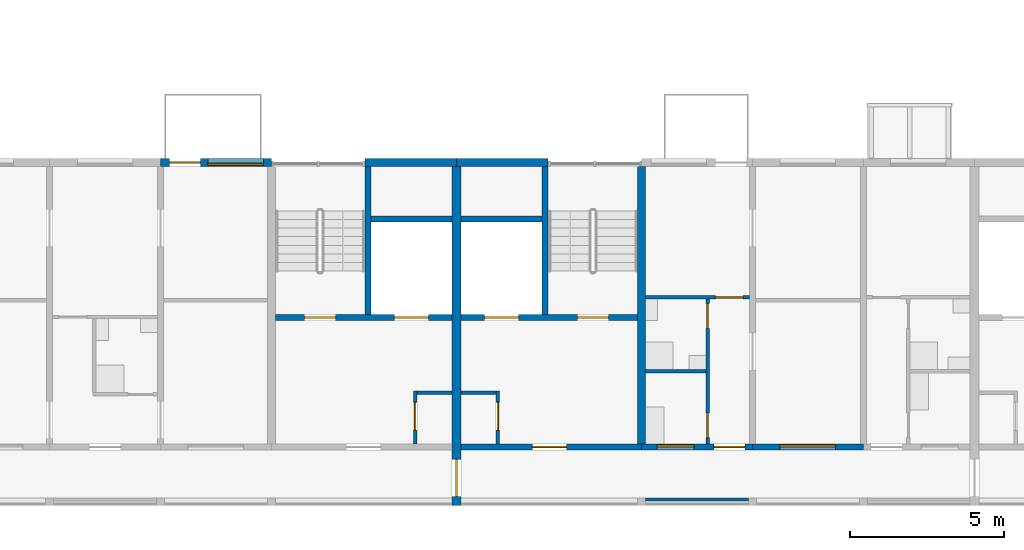
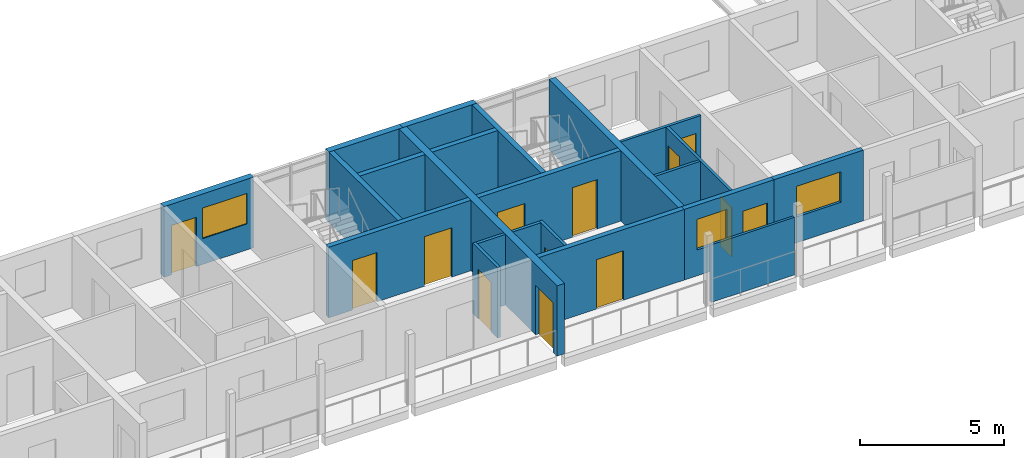
# One storey, part 53 of 94: 22 walls, 13 doors, 3 windows, 16 openings.
"""IFC4 building model written with IfcOpenShell, lengths in metres."""

from ifc_helpers import new_model, si_unit, direction, frame, frame_2d, origin, place, context, subcontext, project, spatial, rectangle, extrude, material, layer, layer_set, type_object, element, fill, save


model = new_model("IFC4")

# Units and contexts
model_context = context("Model", 3, precision=1e-05, world=origin(), true_north=direction((0.0, 1.0)))
body_context = subcontext(model_context, "Body", "Model", "MODEL_VIEW")
ifc_project = project(units=[si_unit("LENGTHUNIT", "METRE"), si_unit("AREAUNIT", "SQUARE_METRE"), si_unit("VOLUMEUNIT", "CUBIC_METRE"), si_unit("PLANEANGLEUNIT", "RADIAN"), si_unit("MASSUNIT", "GRAM", prefix="KILO")], contexts=[model_context])

# Site, building, storey
site_placement = place(None, origin())
site = spatial("IfcSite", under=ifc_project, at=site_placement, CompositionType="ELEMENT")
building_placement = place(site_placement, origin())
building = spatial("IfcBuilding", under=site, at=building_placement, Name="Ridgestep Commons", CompositionType="ELEMENT")
storey_placement = place(building_placement, frame((0.0, 0.0, 24.0)))
storey = spatial("IfcBuildingStorey", under=building, at=storey_placement, Name="L08", CompositionType="ELEMENT", Elevation=24.0)

# Wall
ifc_material_1 = material(Name="Concrete C30/37", Category="concrete")
ifc_layer_1 = layer(ifc_material_1, 0.25)
ifc_layer_set_1 = layer_set([ifc_layer_1], Name="Core cross wall 250")
wall_type_1 = type_object("IfcWallType", Name="Core cross wall 250", PredefinedType="SHEAR", material=ifc_layer_set_1)
wall_1_placement = place(storey_placement, frame((220.0, 13.75, 0.0), z_axis=(0.0, 0.0, 1.0), x_axis=(0.0, 1.0, 0.0)))
element("IfcWall", 1, at=wall_1_placement, inside=storey, type_object=wall_type_1, Name="Cross wall D-08-2200", PredefinedType="SHEAR", context=body_context, shape_type="SweptSolid", body=[
    extrude(rectangle(XDim=9.0, YDim=0.25, at=frame_2d((4.5, 0.0))), origin(), (0.0, 0.0, 1.0), 3.0),
])

# Wall, opening, door
ifc_material_2 = material(Name="Concrete C30/37", Category="concrete")
ifc_layer_2 = layer(ifc_material_2, 0.199951171875)
ifc_layer_set_2 = layer_set([ifc_layer_2], Name="Core south wall 200")
wall_type_2 = type_object("IfcWallType", Name="Core south wall 200", PredefinedType="SHEAR", material=ifc_layer_set_2)
wall_2_placement = place(storey_placement, frame((214.14990234375, 13.64990234375, 0.0), z_axis=(0.0, 0.0, 1.0), x_axis=(1.0, 0.0, 0.0)))
wall_2 = element("IfcWall", 2, at=wall_2_placement, inside=storey, type_object=wall_type_2, Name="Core south wall D5C L08", PredefinedType="SHEAR", context=body_context, shape_type="SweptSolid", body=[
    extrude(rectangle(XDim=5.85009765625, YDim=0.199951171875, at=frame_2d((2.925048828125, 0.0))), origin(), (0.0, 0.0, 1.0), 3.0),
])
opening_1_placement = place(wall_2_placement, frame((2.3125, 0.0, 0.0)))
opening_1 = element("IfcOpeningElement", 3, at=opening_1_placement, cuts=wall_2, Name="Opening D5C/08/1", PredefinedType="OPENING", context=body_context, shape_type="SweptSolid", body=[
    extrude(rectangle(XDim=1.10009765625, YDim=2.10009765625, at=frame_2d((0.550048828125, 1.050048828125))), frame((0.0, 0.10986328125, 0.0), z_axis=(0.0, -1.0, 0.0), x_axis=(1.0, 0.0, 0.0)), (0.0, 0.0, 1.0), 0.219970703125),
])
ifc_material_3 = material(Name="Steel fire door", Category="steel")
door_type_1 = type_object("IfcDoorType", Name="Lobby door 1100 x 2100 FD60", OperationType="NOTDEFINED", PredefinedType="DOOR", material=ifc_material_3)
door_1_placement = place(opening_1_placement, origin())
door_1 = element("IfcDoor", 4, at=door_1_placement, inside=storey, type_object=door_type_1, Name="Lobby door D5C/08/1", OperationType="SINGLE_SWING_LEFT", OverallHeight=2.10009765625, OverallWidth=1.10009765625, PredefinedType="DOOR", context=body_context, shape_type="SweptSolid", body=[
    extrude(rectangle(XDim=1.10009765625, YDim=2.10009765625, at=frame_2d((0.550048828125, 1.050048828125))), frame((0.0, 0.02490234375, 0.0), z_axis=(0.0, -1.0, 0.0), x_axis=(1.0, 0.0, 0.0)), (0.0, 0.0, 1.0), 0.050048828125),
])
fill(opening_1, door_1)

ifc_material_4 = material(Name="Concrete C30/37", Category="concrete")
ifc_layer_3 = layer(ifc_material_4, 0.1201171875)
ifc_layer_set_3 = layer_set([ifc_layer_3], Name="Core wall 120")
wall_type_3 = type_object("IfcWallType", Name="Core wall 120", PredefinedType="SHEAR", material=ifc_layer_set_3)
wall_3_placement = place(storey_placement, frame((212.659912109375, 13.75, 0.0), z_axis=(0.0, 0.0, 1.0), x_axis=(0.0, 1.0, 0.0)))
wall_3 = element("IfcWall", 5, at=wall_3_placement, inside=storey, type_object=wall_type_3, Name="Core riser w wall D4C L08", PredefinedType="SHEAR", context=body_context, shape_type="SweptSolid", body=[
    extrude(rectangle(XDim=1.719970703125, YDim=0.1201171875, at=frame_2d((0.85986328125, 0.0))), origin(), (0.0, 0.0, 1.0), 3.0),
])
opening_2_placement = place(wall_3_placement, frame((0.449951171875, 0.0, 0.0)))
opening_2 = element("IfcOpeningElement", 6, at=opening_2_placement, cuts=wall_3, Name="Opening D4C/08/4", PredefinedType="OPENING", context=body_context, shape_type="SweptSolid", body=[
    extrude(rectangle(XDim=0.89990234375, YDim=2.10009765625, at=frame_2d((0.449951171875, 1.050048828125))), frame((0.0, 0.070068359375, 0.0), z_axis=(0.0, -1.0, 0.0), x_axis=(1.0, 0.0, 0.0)), (0.0, 0.0, 1.0), 0.14013671875),
])
ifc_material_5 = material(Name="Steel fire door", Category="steel")
door_type_2 = type_object("IfcDoorType", Name="Riser door 900 x 2100 FD60", OperationType="NOTDEFINED", PredefinedType="DOOR", material=ifc_material_5)
door_2_placement = place(opening_2_placement, origin())
door_2 = element("IfcDoor", 7, at=door_2_placement, inside=storey, type_object=door_type_2, Name="Riser door D4C/08/4", OperationType="SINGLE_SWING_LEFT", OverallHeight=2.10009765625, OverallWidth=0.89990234375, PredefinedType="DOOR", context=body_context, shape_type="SweptSolid", body=[
    extrude(rectangle(XDim=0.89990234375, YDim=2.10009765625, at=frame_2d((0.449951171875, 1.050048828125))), frame((0.0, 0.02490234375, 0.0), z_axis=(0.0, -1.0, 0.0), x_axis=(1.0, 0.0, 0.0)), (0.0, 0.0, 1.0), 0.050048828125),
])
fill(opening_2, door_2)

# Wall
wall_4_placement = place(storey_placement, frame((212.719970703125, 15.409912109375, 0.0), z_axis=(0.0, 0.0, 1.0), x_axis=(1.0, 0.0, 0.0)))
element("IfcWall", 8, at=wall_4_placement, inside=storey, type_object=wall_type_3, Name="Core riser n wall D4C L08", PredefinedType="SHEAR", context=body_context, shape_type="SweptSolid", body=[
    extrude(rectangle(XDim=1.130126953125, YDim=0.1201171875, at=frame_2d((0.56494140625, 0.0))), origin(), (0.0, 0.0, 1.0), 3.0),
])

# Wall, opening, door
wall_5_placement = place(storey_placement, frame((215.340087890625, 13.75, 0.0), z_axis=(0.0, 0.0, 1.0), x_axis=(0.0, 1.0, 0.0)))
wall_5 = element("IfcWall", 9, at=wall_5_placement, inside=storey, type_object=wall_type_3, Name="Core riser w wall D5C L08", PredefinedType="SHEAR", context=body_context, shape_type="SweptSolid", body=[
    extrude(rectangle(XDim=1.719970703125, YDim=0.1201171875, at=frame_2d((0.85986328125, 0.0))), origin(), (0.0, 0.0, 1.0), 3.0),
])
opening_3_placement = place(wall_5_placement, frame((0.449951171875, 0.0, 0.0)))
opening_3 = element("IfcOpeningElement", 10, at=opening_3_placement, cuts=wall_5, Name="Opening D5C/08/4", PredefinedType="OPENING", context=body_context, shape_type="SweptSolid", body=[
    extrude(rectangle(XDim=0.89990234375, YDim=2.10009765625, at=frame_2d((0.449951171875, 1.050048828125))), frame((0.0, 0.070068359375, 0.0), z_axis=(0.0, -1.0, 0.0), x_axis=(1.0, 0.0, 0.0)), (0.0, 0.0, 1.0), 0.14013671875),
])
door_3_placement = place(opening_3_placement, origin())
door_3 = element("IfcDoor", 11, at=door_3_placement, inside=storey, type_object=door_type_2, Name="Riser door D5C/08/4", OperationType="SINGLE_SWING_RIGHT", OverallHeight=2.10009765625, OverallWidth=0.89990234375, PredefinedType="DOOR", context=body_context, shape_type="SweptSolid", body=[
    extrude(rectangle(XDim=0.89990234375, YDim=2.10009765625, at=frame_2d((0.449951171875, 1.050048828125))), frame((0.0, 0.02490234375, 0.0), z_axis=(0.0, -1.0, 0.0), x_axis=(1.0, 0.0, 0.0)), (0.0, 0.0, 1.0), 0.050048828125),
])
fill(opening_3, door_3)

# Wall
wall_6_placement = place(storey_placement, frame((214.14990234375, 15.409912109375, 0.0), z_axis=(0.0, 0.0, 1.0), x_axis=(1.0, 0.0, 0.0)))
element("IfcWall", 12, at=wall_6_placement, inside=storey, type_object=wall_type_3, Name="Core riser n wall D5C L08", PredefinedType="SHEAR", context=body_context, shape_type="SweptSolid", body=[
    extrude(rectangle(XDim=1.130126953125, YDim=0.1201171875, at=frame_2d((0.56494140625, 0.0))), origin(), (0.0, 0.0, 1.0), 3.0),
])

# Wall, openings, doors
ifc_material_6 = material(Name="Concrete C30/37", Category="concrete")
ifc_layer_4 = layer(ifc_material_6, 0.199951171875)
ifc_layer_set_4 = layer_set([ifc_layer_4], Name="Core wall 200")
wall_type_4 = type_object("IfcWallType", Name="Core wall 200", PredefinedType="SHEAR", material=ifc_layer_set_4)
wall_7_placement = place(storey_placement, frame((208.125, 17.85009765625, 0.0), z_axis=(0.0, 0.0, 1.0), x_axis=(1.0, 0.0, 0.0)))
wall_7 = element("IfcWall", 13, at=wall_7_placement, inside=storey, type_object=wall_type_4, Name="Core lobby wall D4C L08", PredefinedType="SHEAR", context=body_context, shape_type="SweptSolid", body=[
    extrude(rectangle(XDim=5.72509765625, YDim=0.199951171875, at=frame_2d((2.862548828125, 0.0))), origin(), (0.0, 0.0, 1.0), 3.0),
])
opening_4_placement = place(wall_7_placement, frame((0.949951171875, 0.0, 0.0)))
opening_4 = element("IfcOpeningElement", 14, at=opening_4_placement, cuts=wall_7, Name="Opening D4C/08/2", PredefinedType="OPENING", context=body_context, shape_type="SweptSolid", body=[
    extrude(rectangle(XDim=1.0, YDim=2.10009765625, at=frame_2d((0.5, 1.050048828125))), frame((0.0, 0.10986328125, 0.0), z_axis=(0.0, -1.0, 0.0), x_axis=(1.0, 0.0, 0.0)), (0.0, 0.0, 1.0), 0.219970703125),
])
opening_5_placement = place(wall_7_placement, frame((3.862548828125, 0.0, 0.0)))
opening_5 = element("IfcOpeningElement", 15, at=opening_5_placement, cuts=wall_7, Name="Opening D4C/08/3", PredefinedType="OPENING", context=body_context, shape_type="SweptSolid", body=[
    extrude(rectangle(XDim=1.10009765625, YDim=2.10009765625, at=frame_2d((0.550048828125, 1.050048828125))), frame((0.0, 0.10986328125, 0.0), z_axis=(0.0, -1.0, 0.0), x_axis=(1.0, 0.0, 0.0)), (0.0, 0.0, 1.0), 0.219970703125),
])
ifc_material_7 = material(Name="Stainless steel", Category="steel")
door_type_3 = type_object("IfcDoorType", Name="Lift landing door 1100 x 2100 FD60", OperationType="DOUBLE_DOOR_SLIDING", PredefinedType="DOOR", material=ifc_material_7)
door_4_placement = place(opening_5_placement, origin())
door_4 = element("IfcDoor", 16, at=door_4_placement, inside=storey, type_object=door_type_3, Name="Landing door LD D4C L08", OperationType="DOUBLE_DOOR_SLIDING", OverallHeight=2.10009765625, OverallWidth=1.10009765625, PredefinedType="DOOR", context=body_context, shape_type="SweptSolid", body=[
    extrude(rectangle(XDim=1.10009765625, YDim=2.10009765625, at=frame_2d((0.550048828125, 1.050048828125))), frame((0.0, 0.02490234375, 0.0), z_axis=(0.0, -1.0, 0.0), x_axis=(1.0, 0.0, 0.0)), (0.0, 0.0, 1.0), 0.050048828125),
])
fill(opening_5, door_4)
ifc_material_8 = material(Name="Steel fire door", Category="steel")
door_type_4 = type_object("IfcDoorType", Name="Stair door 1000 x 2100 FD60", OperationType="NOTDEFINED", PredefinedType="DOOR", material=ifc_material_8)
door_5_placement = place(opening_4_placement, origin())
door_5 = element("IfcDoor", 17, at=door_5_placement, inside=storey, type_object=door_type_4, Name="Stair door D4C/08/2", OperationType="SINGLE_SWING_RIGHT", OverallHeight=2.10009765625, OverallWidth=1.0, PredefinedType="DOOR", context=body_context, shape_type="SweptSolid", body=[
    extrude(rectangle(XDim=1.0, YDim=2.10009765625, at=frame_2d((0.5, 1.050048828125))), frame((0.0, 0.02490234375, 0.0), z_axis=(0.0, -1.0, 0.0), x_axis=(1.0, 0.0, 0.0)), (0.0, 0.0, 1.0), 0.050048828125),
])
fill(opening_4, door_5)

# Walls
wall_8_placement = place(storey_placement, frame((211.125, 17.949951171875, 0.0), z_axis=(0.0, 0.0, 1.0), x_axis=(0.0, 1.0, 0.0)))
element("IfcWall", 18, at=wall_8_placement, inside=storey, type_object=wall_type_4, Name="Core stair wall D4C L08", PredefinedType="SHEAR", context=body_context, shape_type="SweptSolid", body=[
    extrude(rectangle(XDim=4.800048828125, YDim=0.199951171875, at=frame_2d((2.39990234375, 0.0))), origin(), (0.0, 0.0, 1.0), 3.0),
])
wall_9_placement = place(storey_placement, frame((211.22509765625, 21.050048828125, 0.0), z_axis=(0.0, 0.0, 1.0), x_axis=(1.0, 0.0, 0.0)))
element("IfcWall", 19, at=wall_9_placement, inside=storey, type_object=wall_type_4, Name="Core duct wall D4C L08", PredefinedType="SHEAR", context=body_context, shape_type="SweptSolid", body=[
    extrude(rectangle(XDim=2.625, YDim=0.199951171875, at=frame_2d((1.3125, 0.0))), origin(), (0.0, 0.0, 1.0), 3.0),
])

# Wall, openings, doors
wall_10_placement = place(storey_placement, frame((214.14990234375, 17.85009765625, 0.0), z_axis=(0.0, 0.0, 1.0), x_axis=(1.0, 0.0, 0.0)))
wall_10 = element("IfcWall", 20, at=wall_10_placement, inside=storey, type_object=wall_type_4, Name="Core lobby wall D5C L08", PredefinedType="SHEAR", context=body_context, shape_type="SweptSolid", body=[
    extrude(rectangle(XDim=5.72509765625, YDim=0.199951171875, at=frame_2d((2.862548828125, 0.0))), origin(), (0.0, 0.0, 1.0), 3.0),
])
opening_6_placement = place(wall_10_placement, frame((3.77490234375, 0.0, 0.0)))
opening_6 = element("IfcOpeningElement", 21, at=opening_6_placement, cuts=wall_10, Name="Opening D5C/08/2", PredefinedType="OPENING", context=body_context, shape_type="SweptSolid", body=[
    extrude(rectangle(XDim=1.0, YDim=2.10009765625, at=frame_2d((0.5, 1.050048828125))), frame((0.0, 0.10986328125, 0.0), z_axis=(0.0, -1.0, 0.0), x_axis=(1.0, 0.0, 0.0)), (0.0, 0.0, 1.0), 0.219970703125),
])
opening_7_placement = place(wall_10_placement, frame((0.762451171875, 0.0, 0.0)))
opening_7 = element("IfcOpeningElement", 22, at=opening_7_placement, cuts=wall_10, Name="Opening D5C/08/3", PredefinedType="OPENING", context=body_context, shape_type="SweptSolid", body=[
    extrude(rectangle(XDim=1.10009765625, YDim=2.10009765625, at=frame_2d((0.550048828125, 1.050048828125))), frame((0.0, 0.10986328125, 0.0), z_axis=(0.0, -1.0, 0.0), x_axis=(1.0, 0.0, 0.0)), (0.0, 0.0, 1.0), 0.219970703125),
])
door_6_placement = place(opening_7_placement, origin())
door_6 = element("IfcDoor", 23, at=door_6_placement, inside=storey, type_object=door_type_3, Name="Landing door LD D5C L08", OperationType="DOUBLE_DOOR_SLIDING", OverallHeight=2.10009765625, OverallWidth=1.10009765625, PredefinedType="DOOR", context=body_context, shape_type="SweptSolid", body=[
    extrude(rectangle(XDim=1.10009765625, YDim=2.10009765625, at=frame_2d((0.550048828125, 1.050048828125))), frame((0.0, 0.02490234375, 0.0), z_axis=(0.0, -1.0, 0.0), x_axis=(1.0, 0.0, 0.0)), (0.0, 0.0, 1.0), 0.050048828125),
])
fill(opening_7, door_6)
door_7_placement = place(opening_6_placement, origin())
door_7 = element("IfcDoor", 24, at=door_7_placement, inside=storey, type_object=door_type_4, Name="Stair door D5C/08/2", OperationType="SINGLE_SWING_RIGHT", OverallHeight=2.10009765625, OverallWidth=1.0, PredefinedType="DOOR", context=body_context, shape_type="SweptSolid", body=[
    extrude(rectangle(XDim=1.0, YDim=2.10009765625, at=frame_2d((0.5, 1.050048828125))), frame((0.0, 0.02490234375, 0.0), z_axis=(0.0, -1.0, 0.0), x_axis=(1.0, 0.0, 0.0)), (0.0, 0.0, 1.0), 0.050048828125),
])
fill(opening_6, door_7)

# Walls
wall_11_placement = place(storey_placement, frame((216.875, 17.949951171875, 0.0), z_axis=(0.0, 0.0, 1.0), x_axis=(0.0, 1.0, 0.0)))
element("IfcWall", 25, at=wall_11_placement, inside=storey, type_object=wall_type_4, Name="Core stair wall D5C L08", PredefinedType="SHEAR", context=body_context, shape_type="SweptSolid", body=[
    extrude(rectangle(XDim=4.800048828125, YDim=0.199951171875, at=frame_2d((2.39990234375, 0.0))), origin(), (0.0, 0.0, 1.0), 3.0),
])
wall_12_placement = place(storey_placement, frame((214.14990234375, 21.050048828125, 0.0), z_axis=(0.0, 0.0, 1.0), x_axis=(1.0, 0.0, 0.0)))
element("IfcWall", 26, at=wall_12_placement, inside=storey, type_object=wall_type_4, Name="Core duct wall D5C L08", PredefinedType="SHEAR", context=body_context, shape_type="SweptSolid", body=[
    extrude(rectangle(XDim=2.625, YDim=0.199951171875, at=frame_2d((1.3125, 0.0))), origin(), (0.0, 0.0, 1.0), 3.0),
])

# Wall, opening, door
ifc_material_9 = material(Name="Precast concrete C40/50", Category="concrete")
ifc_layer_5 = layer(ifc_material_9, 0.300048828125)
ifc_layer_set_5 = layer_set([ifc_layer_5], Name="Division wall 300")
wall_type_5 = type_object("IfcWallType", Name="Division wall 300", PredefinedType="SHEAR", material=ifc_layer_set_5)
wall_13_placement = place(storey_placement, frame((214.0, 11.75, 0.0), z_axis=(0.0, 0.0, 1.0), x_axis=(0.0, 1.0, 0.0)))
wall_13 = element("IfcWall", 27, at=wall_13_placement, inside=storey, type_object=wall_type_5, Name="Cross wall D-08-2140", PredefinedType="SHEAR", context=body_context, shape_type="SweptSolid", body=[
    extrude(rectangle(XDim=11.0, YDim=0.300048828125, at=frame_2d((5.5, 0.0))), origin(), (0.0, 0.0, 1.0), 3.0),
])
opening_8_placement = place(wall_13_placement, frame((0.300048828125, 0.0, 0.0)))
opening_8 = element("IfcOpeningElement", 28, at=opening_8_placement, cuts=wall_13, Name="Opening D/08/G2140", PredefinedType="OPENING", context=body_context, shape_type="SweptSolid", body=[
    extrude(rectangle(XDim=1.199951171875, YDim=2.10009765625, at=frame_2d((0.60009765625, 1.050048828125))), frame((0.0, 0.159912109375, 0.0), z_axis=(0.0, -1.0, 0.0), x_axis=(1.0, 0.0, 0.0)), (0.0, 0.0, 1.0), 0.320068359375),
])
ifc_material_10 = material(Name="Steel fire door", Category="steel")
door_type_5 = type_object("IfcDoorType", Name="Division fire door 1200 x 2100 EI 240", OperationType="DOUBLE_DOOR_SINGLE_SWING", PredefinedType="DOOR", material=ifc_material_10)
door_8_placement = place(opening_8_placement, origin())
door_8 = element("IfcDoor", 29, at=door_8_placement, inside=storey, type_object=door_type_5, Name="Division fire door D/08/G2140", OperationType="DOUBLE_DOOR_SINGLE_SWING", OverallHeight=2.10009765625, OverallWidth=1.199951171875, PredefinedType="DOOR", context=body_context, shape_type="SweptSolid", body=[
    extrude(rectangle(XDim=1.199951171875, YDim=2.10009765625, at=frame_2d((0.60009765625, 1.050048828125))), frame((0.0, 0.02490234375, 0.0), z_axis=(0.0, -1.0, 0.0), x_axis=(1.0, 0.0, 0.0)), (0.0, 0.0, 1.0), 0.050048828125),
])
fill(opening_8, door_8)

# Wall, openings, door, window
ifc_material_11 = material(Name="Precast concrete C40/50", Category="concrete")
ifc_layer_6 = layer(ifc_material_11, 0.25)
ifc_layer_set_6 = layer_set([ifc_layer_6], Name="North facade panel 250")
wall_type_6 = type_object("IfcWallType", Name="North facade panel 250", PredefinedType="SOLIDWALL", material=ifc_layer_set_6)
wall_14_placement = place(storey_placement, frame((204.39990234375, 22.875, 0.0), z_axis=(0.0, 0.0, 1.0), x_axis=(1.0, 0.0, 0.0)))
wall_14 = element("IfcWall", 30, at=wall_14_placement, inside=storey, type_object=wall_type_6, Name="North panel D4T3 L08", PredefinedType="SOLIDWALL", context=body_context, shape_type="SweptSolid", body=[
    extrude(rectangle(XDim=3.60009765625, YDim=0.25, at=frame_2d((1.800048828125, 0.0))), origin(), (0.0, 0.0, 1.0), 3.0),
])
opening_9_placement = place(wall_14_placement, frame((1.532470703125, 0.0, 1.10009765625)))
opening_9 = element("IfcOpeningElement", 31, at=opening_9_placement, cuts=wall_14, Name="Opening W18", PredefinedType="OPENING", context=body_context, shape_type="SweptSolid", body=[
    extrude(rectangle(XDim=1.800048828125, YDim=1.300048828125, at=frame_2d((0.89990234375, 0.64990234375))), frame((0.0, 0.135009765625, 0.0), z_axis=(0.0, -1.0, 0.0), x_axis=(1.0, 0.0, 0.0)), (0.0, 0.0, 1.0), 0.27001953125),
])
opening_10_placement = place(wall_14_placement, frame((0.2900390625, 0.0, 0.0)))
opening_10 = element("IfcOpeningElement", 32, at=opening_10_placement, cuts=wall_14, Name="Opening D4-08a/8", PredefinedType="OPENING", context=body_context, shape_type="SweptSolid", body=[
    extrude(rectangle(XDim=1.0, YDim=2.10009765625, at=frame_2d((0.5, 1.050048828125))), frame((0.0, 0.135009765625, 0.0), z_axis=(0.0, -1.0, 0.0), x_axis=(1.0, 0.0, 0.0)), (0.0, 0.0, 1.0), 0.27001953125),
])
ifc_material_12 = material(Name="Aluminium and glass", Category="aluminium")
door_type_6 = type_object("IfcDoorType", Name="Balcony door 1000 x 2100", OperationType="NOTDEFINED", PredefinedType="DOOR", material=ifc_material_12)
door_9_placement = place(opening_10_placement, origin())
door_9 = element("IfcDoor", 33, at=door_9_placement, inside=storey, type_object=door_type_6, Name="Balcony door D4-08a/8", OperationType="SINGLE_SWING_RIGHT", OverallHeight=2.10009765625, OverallWidth=1.0, PredefinedType="DOOR", context=body_context, shape_type="SweptSolid", body=[
    extrude(rectangle(XDim=1.0, YDim=2.10009765625, at=frame_2d((0.5, 1.050048828125))), frame((0.0, 0.02490234375, 0.0), z_axis=(0.0, -1.0, 0.0), x_axis=(1.0, 0.0, 0.0)), (0.0, 0.0, 1.0), 0.050048828125),
])
fill(opening_10, door_9)
ifc_material_13 = material(Name="Aluminium 6063-T6 and glass", Category="aluminium")
window_type_1 = type_object("IfcWindowType", Name="Flat window 1800 x 1300", PartitioningType="DOUBLE_PANEL_VERTICAL", PredefinedType="WINDOW", material=ifc_material_13)
window_1_placement = place(opening_9_placement, origin())
window_1 = element("IfcWindow", 34, at=window_1_placement, inside=storey, type_object=window_type_1, Name="Window D4-08a 4", OverallHeight=1.300048828125, OverallWidth=1.800048828125, PartitioningType="SINGLE_PANEL", PredefinedType="WINDOW", context=body_context, shape_type="SweptSolid", body=[
    extrude(rectangle(XDim=1.800048828125, YDim=1.300048828125, at=frame_2d((0.89990234375, 0.64990234375))), frame((0.0, -0.02490234375, 0.0), z_axis=(0.0, -1.0, 0.0), x_axis=(1.0, 0.0, 0.0)), (0.0, 0.0, 1.0), 0.06005859375),
])
fill(opening_9, window_1)

# Walls
for number, where, z_axis, x_axis, name in (
    (35, (211.02490234375, 22.875, 0.0), (0.0, 0.0, 1.0), (1.0, 0.0, 0.0), "North panel D4C L08"),
    (36, (214.0, 22.875, 0.0), (0.0, 0.0, 1.0), (1.0, 0.0, 0.0), "North panel D5C L08"),
):
    element("IfcWall", number, at=place(storey_placement, frame(where, z_axis=z_axis, x_axis=x_axis)), inside=storey, type_object=wall_type_6, Name=name, PredefinedType="SOLIDWALL", context=body_context, shape_type="SweptSolid", body=[
        extrude(rectangle(XDim=2.97509765625, YDim=0.25, at=frame_2d((1.487548828125, 0.0))), origin(), (0.0, 0.0, 1.0), 3.0),
    ])
ifc_material_14 = material(Name="Common brick 110 mm", Category="masonry")
ifc_layer_7 = layer(ifc_material_14, 0.110107421875)
ifc_layer_set_7 = layer_set([ifc_layer_7], Name="Partition 110")
wall_type_7 = type_object("IfcWallType", Name="Partition 110", PredefinedType="PARTITIONING", material=ifc_layer_set_7)
wall_15_placement = place(storey_placement, frame((220.125, 16.10498046875, 0.0), z_axis=(0.0, 0.0, 1.0), x_axis=(1.0, 0.0, 0.0)))
element("IfcWall", 37, at=wall_15_placement, inside=storey, type_object=wall_type_7, Name="Partition D5-08b", PredefinedType="PARTITIONING", context=body_context, shape_type="SweptSolid", body=[
    extrude(rectangle(XDim=1.965087890625, YDim=0.110107421875, at=frame_2d((0.982421875, 0.0))), origin(), (0.0, 0.0, 1.0), 2.800048828125),
])

# Wall, openings, doors
wall_16_placement = place(storey_placement, frame((222.14501953125, 13.75, 0.0), z_axis=(0.0, 0.0, 1.0), x_axis=(0.0, 1.0, 0.0)))
wall_16 = element("IfcWall", 38, at=wall_16_placement, inside=storey, type_object=wall_type_7, Name="Partition D5-08b", PredefinedType="PARTITIONING", context=body_context, shape_type="SweptSolid", body=[
    extrude(rectangle(XDim=4.699951171875, YDim=0.110107421875, at=frame_2d((2.35009765625, 0.0))), origin(), (0.0, 0.0, 1.0), 2.800048828125),
])
opening_11_placement = place(wall_16_placement, frame((0.199951171875, 0.0, 0.0)))
opening_11 = element("IfcOpeningElement", 39, at=opening_11_placement, cuts=wall_16, Name="Opening D5-08b/2", PredefinedType="OPENING", context=body_context, shape_type="SweptSolid", body=[
    extrude(rectangle(XDim=0.800048828125, YDim=2.10009765625, at=frame_2d((0.39990234375, 1.050048828125))), frame((0.0, 0.06494140625, 0.0), z_axis=(0.0, -1.0, 0.0), x_axis=(1.0, 0.0, 0.0)), (0.0, 0.0, 1.0), 0.130126953125),
])
opening_12_placement = place(wall_16_placement, frame((3.75, 0.0, 0.0)))
opening_12 = element("IfcOpeningElement", 40, at=opening_12_placement, cuts=wall_16, Name="Opening D5-08b/3", PredefinedType="OPENING", context=body_context, shape_type="SweptSolid", body=[
    extrude(rectangle(XDim=0.800048828125, YDim=2.10009765625, at=frame_2d((0.39990234375, 1.050048828125))), frame((0.0, 0.06494140625, 0.0), z_axis=(0.0, -1.0, 0.0), x_axis=(1.0, 0.0, 0.0)), (0.0, 0.0, 1.0), 0.130126953125),
])
ifc_material_15 = material(Name="Timber door leaf", Category="wood")
door_type_7 = type_object("IfcDoorType", Name="Internal door 800 x 2100", OperationType="NOTDEFINED", PredefinedType="DOOR", material=ifc_material_15)
door_10_placement = place(opening_11_placement, origin())
door_10 = element("IfcDoor", 41, at=door_10_placement, inside=storey, type_object=door_type_7, Name="Internal door D5-08b/2", OperationType="SINGLE_SWING_LEFT", OverallHeight=2.10009765625, OverallWidth=0.800048828125, PredefinedType="DOOR", context=body_context, shape_type="SweptSolid", body=[
    extrude(rectangle(XDim=0.800048828125, YDim=2.10009765625, at=frame_2d((0.39990234375, 1.050048828125))), frame((0.0, 0.02490234375, 0.0), z_axis=(0.0, -1.0, 0.0), x_axis=(1.0, 0.0, 0.0)), (0.0, 0.0, 1.0), 0.050048828125),
])
fill(opening_11, door_10)
door_11_placement = place(opening_12_placement, origin())
door_11 = element("IfcDoor", 42, at=door_11_placement, inside=storey, type_object=door_type_7, Name="Internal door D5-08b/3", OperationType="SINGLE_SWING_RIGHT", OverallHeight=2.10009765625, OverallWidth=0.800048828125, PredefinedType="DOOR", context=body_context, shape_type="SweptSolid", body=[
    extrude(rectangle(XDim=0.800048828125, YDim=2.10009765625, at=frame_2d((0.39990234375, 1.050048828125))), frame((0.0, 0.02490234375, 0.0), z_axis=(0.0, -1.0, 0.0), x_axis=(1.0, 0.0, 0.0)), (0.0, 0.0, 1.0), 0.050048828125),
])
fill(opening_12, door_11)

# Wall, opening, door
wall_17_placement = place(storey_placement, frame((220.125, 18.5048828125, 0.0), z_axis=(0.0, 0.0, 1.0), x_axis=(1.0, 0.0, 0.0)))
wall_17 = element("IfcWall", 43, at=wall_17_placement, inside=storey, type_object=wall_type_7, Name="Partition D5-08b", PredefinedType="PARTITIONING", context=body_context, shape_type="SweptSolid", body=[
    extrude(rectangle(XDim=3.375, YDim=0.110107421875, at=frame_2d((1.6875, 0.0))), origin(), (0.0, 0.0, 1.0), 2.800048828125),
])
opening_13_placement = place(wall_17_placement, frame((2.27490234375, 0.0, 0.0)))
opening_13 = element("IfcOpeningElement", 44, at=opening_13_placement, cuts=wall_17, Name="Opening D5-08b/4", PredefinedType="OPENING", context=body_context, shape_type="SweptSolid", body=[
    extrude(rectangle(XDim=0.89990234375, YDim=2.10009765625, at=frame_2d((0.449951171875, 1.050048828125))), frame((0.0, 0.06494140625, 0.0), z_axis=(0.0, -1.0, 0.0), x_axis=(1.0, 0.0, 0.0)), (0.0, 0.0, 1.0), 0.130126953125),
])
ifc_material_16 = material(Name="Timber door leaf", Category="wood")
door_type_8 = type_object("IfcDoorType", Name="Internal door 900 x 2100", OperationType="NOTDEFINED", PredefinedType="DOOR", material=ifc_material_16)
door_12_placement = place(opening_13_placement, origin())
door_12 = element("IfcDoor", 45, at=door_12_placement, inside=storey, type_object=door_type_8, Name="Internal door D5-08b/4", OperationType="SINGLE_SWING_LEFT", OverallHeight=2.10009765625, OverallWidth=0.89990234375, PredefinedType="DOOR", context=body_context, shape_type="SweptSolid", body=[
    extrude(rectangle(XDim=0.89990234375, YDim=2.10009765625, at=frame_2d((0.449951171875, 1.050048828125))), frame((0.0, 0.02490234375, 0.0), z_axis=(0.0, -1.0, 0.0), x_axis=(1.0, 0.0, 0.0)), (0.0, 0.0, 1.0), 0.050048828125),
])
fill(opening_13, door_12)

# Wall
ifc_material_17 = material(Name="Precast concrete C30/37", Category="concrete")
ifc_layer_8 = layer(ifc_material_17, 0.10009765625)
ifc_layer_set_8 = layer_set([ifc_layer_8], Name="Perforated gallery screen 3350 x 2450 x 100")
wall_type_8 = type_object("IfcWallType", Name="Perforated gallery screen 3350 x 2450 x 100", PredefinedType="SOLIDWALL", material=ifc_layer_set_8)
wall_18_placement = place(storey_placement, frame((220.125, 11.949951171875, 0.0), z_axis=(0.0, 0.0, 1.0), x_axis=(1.0, 0.0, 0.0)))
element("IfcWall", 46, at=wall_18_placement, inside=storey, type_object=wall_type_8, Name="Gallery screen D5T3 08", PredefinedType="SOLIDWALL", context=body_context, shape_type="SweptSolid", body=[
    extrude(rectangle(XDim=3.35009765625, YDim=0.10009765625, at=frame_2d((1.675048828125, 0.0))), origin(), (0.0, 0.0, 1.0), 2.449951171875),
])

# Wall, openings, door, window
ifc_material_18 = material(Name="Precast concrete C40/50", Category="concrete")
ifc_layer_9 = layer(ifc_material_18, 0.199951171875)
ifc_layer_set_9 = layer_set([ifc_layer_9], Name="South facade panel 200")
wall_type_9 = type_object("IfcWallType", Name="South facade panel 200", PredefinedType="SOLIDWALL", material=ifc_layer_set_9)
wall_19_placement = place(storey_placement, frame((220.0, 13.64990234375, 0.0), z_axis=(0.0, 0.0, 1.0), x_axis=(1.0, 0.0, 0.0)))
wall_19 = element("IfcWall", 47, at=wall_19_placement, inside=storey, type_object=wall_type_9, Name="South panel D5T3 L08", PredefinedType="SOLIDWALL", context=body_context, shape_type="SweptSolid", body=[
    extrude(rectangle(XDim=3.60009765625, YDim=0.199951171875, at=frame_2d((1.800048828125, 0.0))), origin(), (0.0, 0.0, 1.0), 3.0),
])
opening_14_placement = place(wall_19_placement, frame((0.507568359375, 0.0, 1.10009765625)))
opening_14 = element("IfcOpeningElement", 48, at=opening_14_placement, cuts=wall_19, Name="Opening W08", PredefinedType="OPENING", context=body_context, shape_type="SweptSolid", body=[
    extrude(rectangle(XDim=1.199951171875, YDim=1.300048828125, at=frame_2d((0.60009765625, 0.64990234375))), frame((0.0, 0.10986328125, 0.0), z_axis=(0.0, -1.0, 0.0), x_axis=(1.0, 0.0, 0.0)), (0.0, 0.0, 1.0), 0.219970703125),
])
opening_15_placement = place(wall_19_placement, frame((2.35009765625, 0.0, 0.0)))
opening_15 = element("IfcOpeningElement", 49, at=opening_15_placement, cuts=wall_19, Name="Opening D5-08b/1", PredefinedType="OPENING", context=body_context, shape_type="SweptSolid", body=[
    extrude(rectangle(XDim=1.0, YDim=2.10009765625, at=frame_2d((0.5, 1.050048828125))), frame((0.0, 0.10986328125, 0.0), z_axis=(0.0, -1.0, 0.0), x_axis=(1.0, 0.0, 0.0)), (0.0, 0.0, 1.0), 0.219970703125),
])
ifc_material_19 = material(Name="Timber door leaf", Category="wood")
door_type_9 = type_object("IfcDoorType", Name="Flat entrance door 1000 x 2100 FD30S", OperationType="NOTDEFINED", PredefinedType="DOOR", material=ifc_material_19)
door_13_placement = place(opening_15_placement, origin())
door_13 = element("IfcDoor", 50, at=door_13_placement, inside=storey, type_object=door_type_9, Name="Flat entrance door D5-08b/1", OperationType="SINGLE_SWING_RIGHT", OverallHeight=2.10009765625, OverallWidth=1.0, PredefinedType="DOOR", context=body_context, shape_type="SweptSolid", body=[
    extrude(rectangle(XDim=1.0, YDim=2.10009765625, at=frame_2d((0.5, 1.050048828125))), frame((0.0, 0.02490234375, 0.0), z_axis=(0.0, -1.0, 0.0), x_axis=(1.0, 0.0, 0.0)), (0.0, 0.0, 1.0), 0.050048828125),
])
fill(opening_15, door_13)
ifc_material_20 = material(Name="Aluminium 6063-T6 and glass", Category="aluminium")
window_type_2 = type_object("IfcWindowType", Name="Flat window 1200 x 1300", PartitioningType="SINGLE_PANEL", PredefinedType="WINDOW", material=ifc_material_20)
window_2_placement = place(opening_14_placement, origin())
window_2 = element("IfcWindow", 51, at=window_2_placement, inside=storey, type_object=window_type_2, Name="Window D5-08b 3", OverallHeight=1.300048828125, OverallWidth=1.199951171875, PartitioningType="SINGLE_PANEL", PredefinedType="WINDOW", context=body_context, shape_type="SweptSolid", body=[
    extrude(rectangle(XDim=1.199951171875, YDim=1.300048828125, at=frame_2d((0.60009765625, 0.64990234375))), frame((0.0, 0.06005859375, 0.0), z_axis=(0.0, -1.0, 0.0), x_axis=(1.0, 0.0, 0.0)), (0.0, 0.0, 1.0), 0.06005859375),
])
fill(opening_14, window_2)

# Wall, opening, window
wall_20_placement = place(storey_placement, frame((223.60009765625, 13.64990234375, 0.0), z_axis=(0.0, 0.0, 1.0), x_axis=(1.0, 0.0, 0.0)))
wall_20 = element("IfcWall", 52, at=wall_20_placement, inside=storey, type_object=wall_type_9, Name="South panel D5T2 L08", PredefinedType="SOLIDWALL", context=body_context, shape_type="SweptSolid", body=[
    extrude(rectangle(XDim=3.599853515625, YDim=0.199951171875, at=frame_2d((1.7998046875, 0.0))), origin(), (0.0, 0.0, 1.0), 3.0),
])
opening_16_placement = place(wall_20_placement, frame((0.89990234375, 0.0, 1.10009765625)))
opening_16 = element("IfcOpeningElement", 53, at=opening_16_placement, cuts=wall_20, Name="Opening W18", PredefinedType="OPENING", context=body_context, shape_type="SweptSolid", body=[
    extrude(rectangle(XDim=1.800048828125, YDim=1.300048828125, at=frame_2d((0.89990234375, 0.64990234375))), frame((0.0, 0.10986328125, 0.0), z_axis=(0.0, -1.0, 0.0), x_axis=(1.0, 0.0, 0.0)), (0.0, 0.0, 1.0), 0.219970703125),
])
window_3_placement = place(opening_16_placement, origin())
window_3 = element("IfcWindow", 54, at=window_3_placement, inside=storey, type_object=window_type_1, Name="Window D5-08b 1", OverallHeight=1.300048828125, OverallWidth=1.800048828125, PartitioningType="SINGLE_PANEL", PredefinedType="WINDOW", context=body_context, shape_type="SweptSolid", body=[
    extrude(rectangle(XDim=1.800048828125, YDim=1.300048828125, at=frame_2d((0.89990234375, 0.64990234375))), frame((0.0, 0.06005859375, 0.0), z_axis=(0.0, -1.0, 0.0), x_axis=(1.0, 0.0, 0.0)), (0.0, 0.0, 1.0), 0.06005859375),
])
fill(opening_16, window_3)

save(model, "model.ifc")
